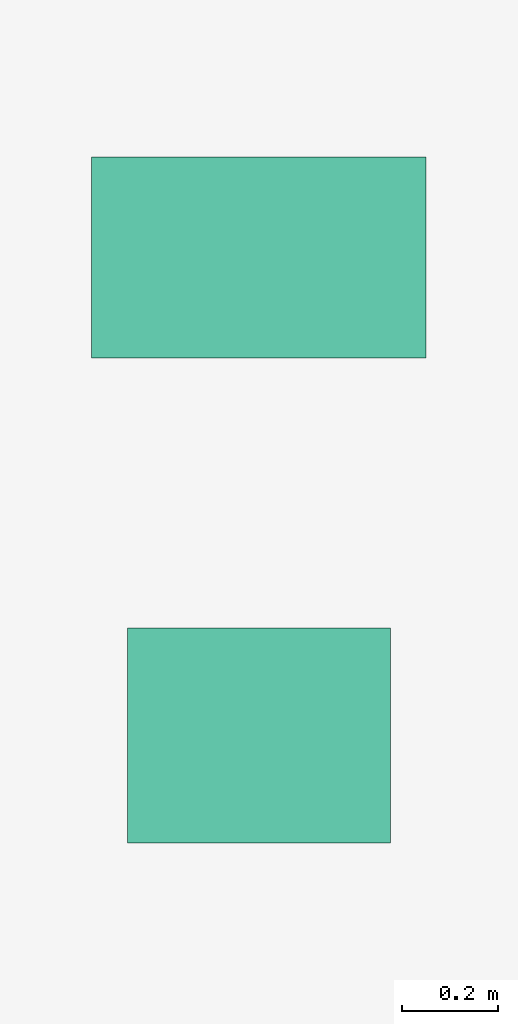
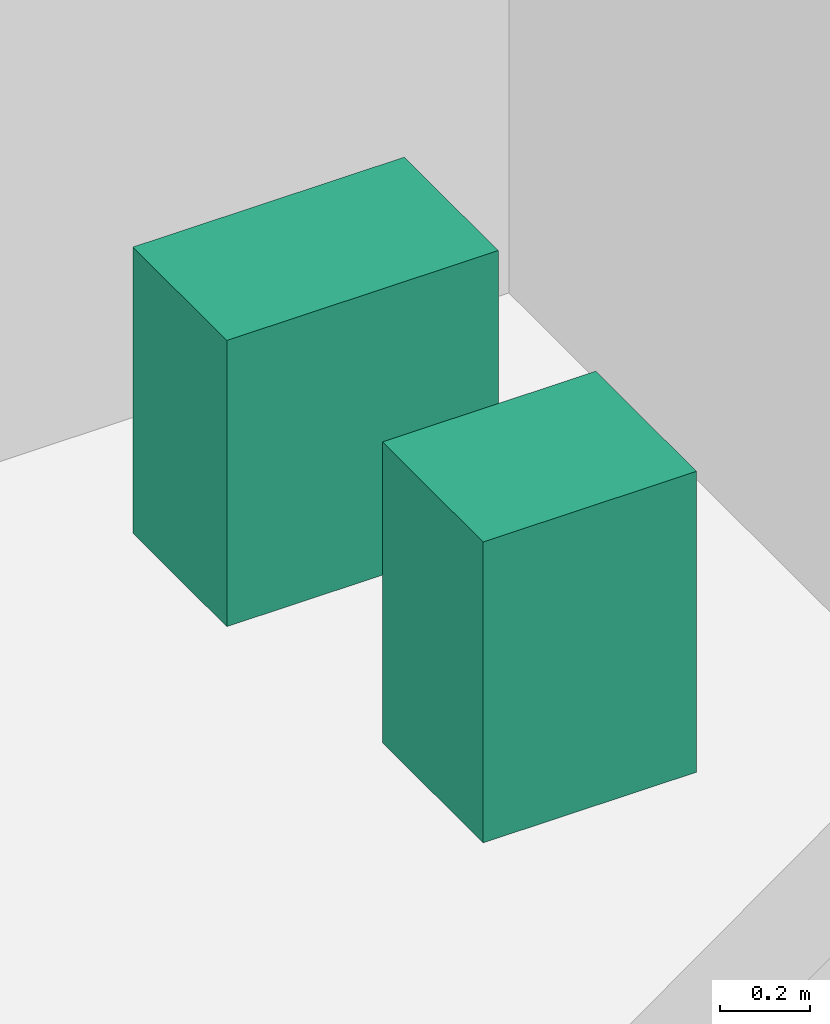
# One storey, part 37 of 37: 2 sanitary terminals.
"""IFC4 building model written with IfcOpenShell, lengths in metres."""

from ifc_helpers import new_model, si_unit, direction, frame, origin, origin_2d, place, context, subcontext, project, spatial, rectangle, extrude, source, transform, mapped, material, type_object, element, save


model = new_model("IFC4")

# Units and contexts
model_context = context("Model", 3, precision=1e-05, world=origin(), true_north=direction((0.0, 1.0)))
body_context = subcontext(model_context, "Body", "Model", "MODEL_VIEW")
ifc_project = project(units=[si_unit("LENGTHUNIT", "METRE"), si_unit("AREAUNIT", "SQUARE_METRE"), si_unit("VOLUMEUNIT", "CUBIC_METRE"), si_unit("PLANEANGLEUNIT", "RADIAN"), si_unit("MASSUNIT", "GRAM", prefix="KILO")], contexts=[model_context])

# Site, building, storey
site_placement = place(None, origin())
site = spatial("IfcSite", under=ifc_project, at=site_placement, CompositionType="ELEMENT")
building_placement = place(site_placement, origin())
building = spatial("IfcBuilding", under=site, at=building_placement, Name="Sumidabori Civic Tower", CompositionType="ELEMENT")
storey_placement = place(building_placement, frame((0.0, 0.0, 81.199951171875)))
storey = spatial("IfcBuildingStorey", under=building, at=storey_placement, Name="L20", CompositionType="ELEMENT", Elevation=81.199951171875)

# Sanitary terminals
ifc_material = material(Name="Vitreous Sanitary Porcelain")
sanitary_terminal_type_1 = type_object("IfcSanitaryTerminalType", Name="SN-WC-1", PredefinedType="TOILETPAN", material=ifc_material)
shared_shape_1 = source(origin(), body_context, "Body", "SweptSolid", [
    extrude(rectangle(XDim=0.699951171875, YDim=0.419921875, at=origin_2d()), origin(), (0.0, 0.0, 1.0), 0.780029296875),
])
sanitary_terminal_1_placement = place(storey_placement, frame((10.800048828125, 21.85009765625, 0.0), z_axis=(0.0, 0.0, 1.0), x_axis=(1.0, 0.0, 0.0)))
element("IfcSanitaryTerminal", 1, at=sanitary_terminal_1_placement, inside=storey, type_object=sanitary_terminal_type_1, Name="Accessible WC Pan L20", PredefinedType="TOILETPAN", context=body_context, shape_type="MappedRepresentation", body=[
    mapped(shared_shape_1, transform((0.0, 0.0, 0.0), x_axis=(1.0, 0.0, 0.0), y_axis=(0.0, 1.0, 0.0), z_axis=(0.0, 0.0, 1.0), scale=1.0)),
])
sanitary_terminal_type_2 = type_object("IfcSanitaryTerminalType", Name="SN-BAS-1", PredefinedType="WASHHANDBASIN", material=ifc_material)
shared_shape_2 = source(origin(), body_context, "Body", "SweptSolid", [
    extrude(rectangle(XDim=0.550048828125, YDim=0.449951171875, at=origin_2d()), origin(), (0.0, 0.0, 1.0), 0.820068359375),
])
sanitary_terminal_2_placement = place(storey_placement, frame((10.800048828125, 20.85009765625, 0.0), z_axis=(0.0, 0.0, 1.0), x_axis=(1.0, 0.0, 0.0)))
element("IfcSanitaryTerminal", 2, at=sanitary_terminal_2_placement, inside=storey, type_object=sanitary_terminal_type_2, Name="Accessible Basin L20", PredefinedType="WASHHANDBASIN", context=body_context, shape_type="MappedRepresentation", body=[
    mapped(shared_shape_2, transform((0.0, 0.0, 0.0), x_axis=(1.0, 0.0, 0.0), y_axis=(0.0, 1.0, 0.0), z_axis=(0.0, 0.0, 1.0), scale=1.0)),
])

save(model, "model.ifc")
